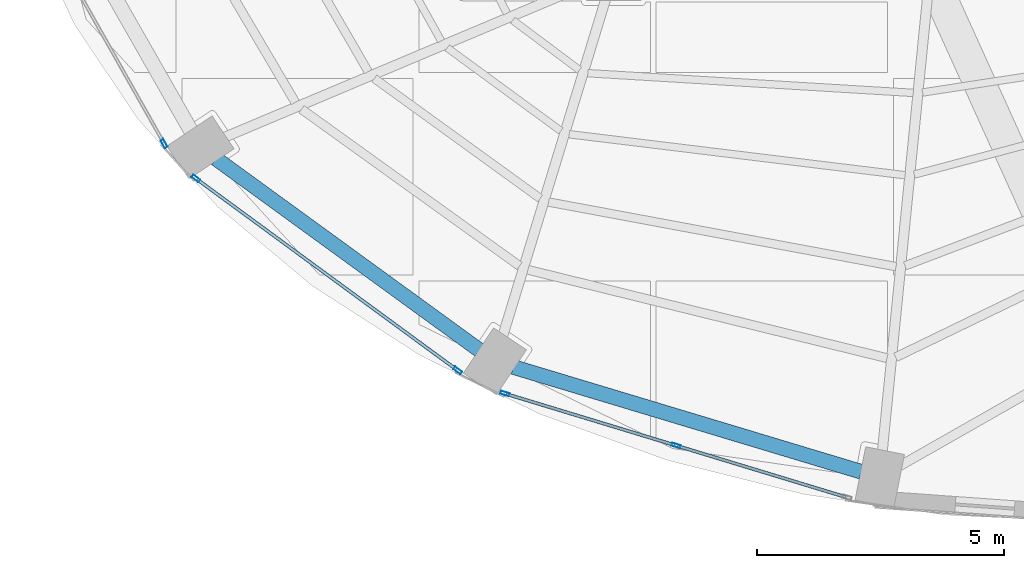
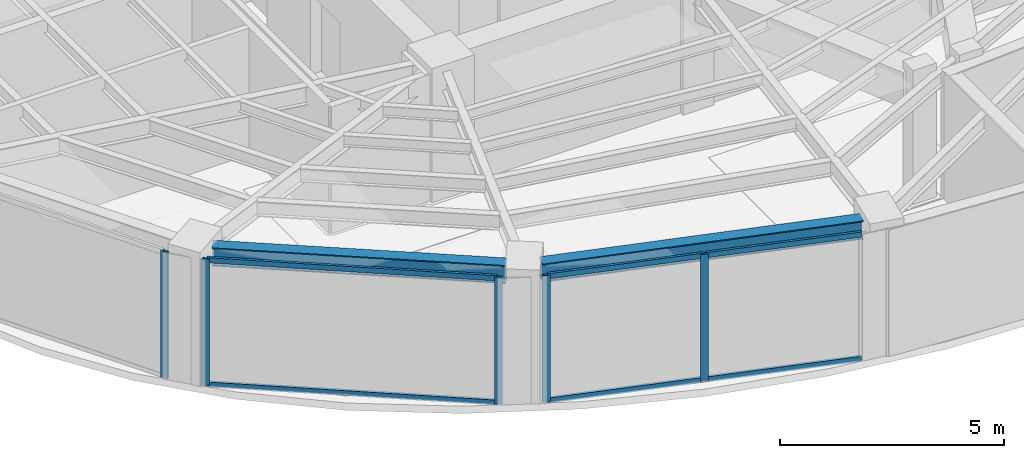
# One storey, part 2 of 23: 11 members, 2 beams, 3 elements without a shape of their own.
"""IFC4 building model written with IfcOpenShell, lengths in metres."""

from ifc_helpers import new_model, si_unit, direction, frame, origin, origin_2d, place, context, subcontext, project, spatial, hollow_rectangle, i_section, extrude, material, layer, layer_set, material_profile, profile_set, type_object, element, aggregate, save


model = new_model("IFC4")

# Units and contexts
model_context = context("Model", 3, precision=1e-05, world=origin(), true_north=direction((0.0, 1.0)))
body_context = subcontext(model_context, "Body", "Model", "MODEL_VIEW")
ifc_project = project(units=[si_unit("LENGTHUNIT", "METRE"), si_unit("AREAUNIT", "SQUARE_METRE"), si_unit("VOLUMEUNIT", "CUBIC_METRE"), si_unit("PLANEANGLEUNIT", "RADIAN"), si_unit("MASSUNIT", "GRAM", prefix="KILO")], contexts=[model_context])

# Site, building, storey
site_placement = place(None, origin())
site = spatial("IfcSite", under=ifc_project, at=site_placement, CompositionType="ELEMENT")
building_placement = place(site_placement, origin())
building = spatial("IfcBuilding", under=site, at=building_placement, Name="Lazwardi Medical Tower", CompositionType="ELEMENT")
storey_placement = place(building_placement, frame((0.0, 0.0, 213.072021484375)))
storey = spatial("IfcBuildingStorey", under=building, at=storey_placement, Name="L55", CompositionType="ELEMENT", Elevation=213.072021484375)

# Beams
ifc_material_1 = material(Name="Steel S355", Category="steel")
ifc_material_profile_1 = material_profile(ifc_material_1, i_section(OverallWidth=0.300048828125, OverallDepth=0.5, WebThickness=0.014404296875, FlangeThickness=0.028076171875, at=origin_2d()), Name="HEB 500")
ifc_profile_set_1 = profile_set([ifc_material_profile_1], Name="Steel S355")
beam_type = type_object("IfcBeamType", Name="BM-RB-Z4", PredefinedType="BEAM", material=ifc_profile_set_1)
beam_1_placement = place(storey_placement, frame((18.355712890625, 16.648193359375, 3.197998046875), z_axis=(0.808889916254, -0.587960120571, 0.0), x_axis=(0.587960120571, 0.808889916254, 0.0)))
element("IfcBeam", 1, at=beam_1_placement, inside=storey, type_object=beam_type, Name="Ring beam RB-05 B14 L55", PredefinedType="BEAM", context=body_context, shape_type="SweptSolid", body=[
    extrude(i_section(OverallWidth=0.300048828125, OverallDepth=0.5, WebThickness=0.014404296875, FlangeThickness=0.028076171875, at=origin_2d()), origin(), (0.0, 0.0, 1.0), 6.587158203125),
])
beam_2_placement = place(storey_placement, frame((24.373046875, 12.43359375, 3.197998046875), z_axis=(0.957544311906, -0.288286126506, 0.0), x_axis=(0.288286126506, 0.957544311906, 0.0)))
element("IfcBeam", 2, at=beam_2_placement, inside=storey, type_object=beam_type, Name="Ring beam RB-05 B15 L55", PredefinedType="BEAM", context=body_context, shape_type="SweptSolid", body=[
    extrude(i_section(OverallWidth=0.300048828125, OverallDepth=0.5, WebThickness=0.014404296875, FlangeThickness=0.028076171875, at=origin_2d()), origin(), (0.0, 0.0, 1.0), 7.3515625),
])

# Curtain wall, member
ifc_material_2 = material(Name="Anodised bronze aluminium and solar control glazing", Category="aluminium")
ifc_layer = layer(ifc_material_2, 0.18994140625)
ifc_layer_set = layer_set([ifc_layer], Name="Anodised bronze aluminium and solar control glazing")
curtain_wall_type = type_object("IfcCurtainWallType", Name="CW-SYS-04", PredefinedType="NOTDEFINED", material=ifc_layer_set)
curtain_wall_1_placement = place(storey_placement, origin())
curtain_wall_1 = element("IfcCurtainWall", 3, at=curtain_wall_1_placement, inside=storey, type_object=curtain_wall_type, Name="L55 Unitised bronze curtain wall CW-04", PredefinedType="NOTDEFINED")
ifc_material_3 = material(Name="Anodised bronze aluminium", Category="aluminium")
ifc_material_profile_2 = material_profile(ifc_material_3, hollow_rectangle(XDim=0.06494140625, YDim=0.179931640625, WallThickness=0.00390625, at=origin_2d()), Name="ALU-MULLION 180x65x4")
ifc_profile_set_2 = profile_set([ifc_material_profile_2], Name="Anodised bronze aluminium")
member_type_1 = type_object("IfcMemberType", Name="CW-MUL-03", PredefinedType="MULLION", material=ifc_profile_set_2)
member_1_placement = place(storey_placement, frame((17.3056640625, 16.95458984375, 0.0), z_axis=(0.0, 0.0, 1.0), x_axis=(0.870651436011, 0.491900474661, 0.0)))
member_1 = element("IfcMember", 4, at=member_1_placement, type_object=member_type_1, Name="CW-04 mullion 2", PredefinedType="MULLION", context=body_context, shape_type="SweptSolid", body=[
    extrude(hollow_rectangle(XDim=0.06494140625, YDim=0.179931640625, WallThickness=0.00390625, at=origin_2d()), origin(), (0.0, 0.0, 1.0), 3.447998046875),
])
aggregate(curtain_wall_1, [member_1])

# Curtain wall, members
curtain_wall_2_placement = place(storey_placement, origin())
curtain_wall_2 = element("IfcCurtainWall", 5, at=curtain_wall_2_placement, inside=storey, type_object=curtain_wall_type, Name="L55 Unitised bronze curtain wall CW-04", PredefinedType="NOTDEFINED")
member_2_placement = place(storey_placement, frame((17.947998046875, 16.248291015625, 0.0), z_axis=(0.0, 0.0, 1.0), x_axis=(0.591268230971, 0.806474971121, 0.0)))
member_2 = element("IfcMember", 6, at=member_2_placement, type_object=member_type_1, Name="CW-04 mullion 1", PredefinedType="MULLION", context=body_context, shape_type="SweptSolid", body=[
    extrude(hollow_rectangle(XDim=0.06494140625, YDim=0.179931640625, WallThickness=0.00390625, at=origin_2d()), origin(), (0.0, 0.0, 1.0), 3.447998046875),
])
member_3_placement = place(storey_placement, frame((23.24462890625, 12.365234375, 0.0), z_axis=(0.0, 0.0, 1.0), x_axis=(0.591268230971, 0.806474971121, 0.0)))
member_3 = element("IfcMember", 7, at=member_3_placement, type_object=member_type_1, Name="CW-04 mullion 2", PredefinedType="MULLION", context=body_context, shape_type="SweptSolid", body=[
    extrude(hollow_rectangle(XDim=0.06494140625, YDim=0.179931640625, WallThickness=0.00390625, at=origin_2d()), origin(), (0.0, 0.0, 1.0), 3.447998046875),
])

curtain_wall_3_placement = place(storey_placement, origin())
curtain_wall_3 = element("IfcCurtainWall", 8, at=curtain_wall_3_placement, inside=storey, type_object=curtain_wall_type, Name="L55 Unitised bronze curtain wall CW-04", PredefinedType="NOTDEFINED")
member_4_placement = place(storey_placement, frame((24.2001953125, 11.896484375, 0.0), z_axis=(0.0, 0.0, 1.0), x_axis=(0.290581889515, 0.956850126972, 0.0)))
member_4 = element("IfcMember", 9, at=member_4_placement, type_object=member_type_1, Name="CW-04 mullion 1", PredefinedType="MULLION", context=body_context, shape_type="SweptSolid", body=[
    extrude(hollow_rectangle(XDim=0.06494140625, YDim=0.179931640625, WallThickness=0.00390625, at=origin_2d()), origin(), (0.0, 0.0, 1.0), 3.447998046875),
])
member_5_placement = place(storey_placement, frame((27.66357421875, 10.8447265625, 0.0), z_axis=(0.0, 0.0, 1.0), x_axis=(0.290581889515, 0.956850126972, 0.0)))
member_5 = element("IfcMember", 10, at=member_5_placement, type_object=member_type_1, Name="CW-04 mullion 2", PredefinedType="MULLION", context=body_context, shape_type="SweptSolid", body=[
    extrude(hollow_rectangle(XDim=0.06494140625, YDim=0.179931640625, WallThickness=0.00390625, at=origin_2d()), origin(), (0.0, 0.0, 1.0), 3.447998046875),
])

# Member
ifc_material_profile_3 = material_profile(ifc_material_3, hollow_rectangle(XDim=0.06494140625, YDim=0.139892578125, WallThickness=0.00341796875, at=origin_2d()), Name="ALU-TRANSOM 140x65x3.5")
ifc_profile_set_3 = profile_set([ifc_material_profile_3], Name="Anodised bronze aluminium")
member_type_2 = type_object("IfcMemberType", Name="CW-TRN-03", PredefinedType="USERDEFINED", material=ifc_profile_set_3)
member_6_placement = place(storey_placement, frame((17.97412109375, 16.229248046875, 0.032470703125), z_axis=(0.806471831148, -0.591272513791, 0.0), x_axis=(0.591272513791, 0.806471831148, 0.0)))
member_6 = element("IfcMember", 11, at=member_6_placement, type_object=member_type_2, Name="CW-04 transom 1.1", ObjectType="TRANSOM", PredefinedType="USERDEFINED", context=body_context, shape_type="SweptSolid", body=[
    extrude(hollow_rectangle(XDim=0.06494140625, YDim=0.139892578125, WallThickness=0.00341796875, at=origin_2d()), origin(), (0.0, 0.0, 1.0), 6.5029296875),
])

member_7_placement = place(storey_placement, frame((17.97412109375, 16.229248046875, 3.41552734375), z_axis=(0.806471831148, -0.591272513791, 0.0), x_axis=(0.591272513791, 0.806471831148, 0.0)))
member_7 = element("IfcMember", 12, at=member_7_placement, type_object=member_type_2, Name="CW-04 transom 1.2", ObjectType="TRANSOM", PredefinedType="USERDEFINED", context=body_context, shape_type="SweptSolid", body=[
    extrude(hollow_rectangle(XDim=0.06494140625, YDim=0.139892578125, WallThickness=0.00341796875, at=origin_2d()), origin(), (0.0, 0.0, 1.0), 6.5029296875),
])

aggregate(curtain_wall_2, [member_2, member_3, member_6, member_7])

member_8_placement = place(storey_placement, frame((24.2314453125, 11.886962890625, 0.032470703125), z_axis=(0.956862505902, -0.290541124109, 0.0), x_axis=(0.290541124109, 0.956862505902, 0.0)))
member_8 = element("IfcMember", 13, at=member_8_placement, type_object=member_type_2, Name="CW-04 transom 1.1", ObjectType="TRANSOM", PredefinedType="USERDEFINED", context=body_context, shape_type="SweptSolid", body=[
    extrude(hollow_rectangle(XDim=0.06494140625, YDim=0.139892578125, WallThickness=0.00341796875, at=origin_2d()), origin(), (0.0, 0.0, 1.0), 3.554443359375),
])

member_9_placement = place(storey_placement, frame((24.2314453125, 11.886962890625, 3.41552734375), z_axis=(0.956862505902, -0.290541124109, 0.0), x_axis=(0.290541124109, 0.956862505902, 0.0)))
member_9 = element("IfcMember", 14, at=member_9_placement, type_object=member_type_2, Name="CW-04 transom 1.2", ObjectType="TRANSOM", PredefinedType="USERDEFINED", context=body_context, shape_type="SweptSolid", body=[
    extrude(hollow_rectangle(XDim=0.06494140625, YDim=0.139892578125, WallThickness=0.00341796875, at=origin_2d()), origin(), (0.0, 0.0, 1.0), 3.554443359375),
])

member_10_placement = place(storey_placement, frame((27.694580078125, 10.835205078125, 0.032470703125), z_axis=(0.956862505902, -0.290541124109, 0.0), x_axis=(0.290541124109, 0.956862505902, 0.0)))
member_10 = element("IfcMember", 15, at=member_10_placement, type_object=member_type_2, Name="CW-04 transom 2.1", ObjectType="TRANSOM", PredefinedType="USERDEFINED", context=body_context, shape_type="SweptSolid", body=[
    extrude(hollow_rectangle(XDim=0.06494140625, YDim=0.139892578125, WallThickness=0.00341796875, at=origin_2d()), origin(), (0.0, 0.0, 1.0), 3.554443359375),
])

member_11_placement = place(storey_placement, frame((27.694580078125, 10.835205078125, 3.41552734375), z_axis=(0.956862505902, -0.290541124109, 0.0), x_axis=(0.290541124109, 0.956862505902, 0.0)))
member_11 = element("IfcMember", 16, at=member_11_placement, type_object=member_type_2, Name="CW-04 transom 2.2", ObjectType="TRANSOM", PredefinedType="USERDEFINED", context=body_context, shape_type="SweptSolid", body=[
    extrude(hollow_rectangle(XDim=0.06494140625, YDim=0.139892578125, WallThickness=0.00341796875, at=origin_2d()), origin(), (0.0, 0.0, 1.0), 3.554443359375),
])

aggregate(curtain_wall_3, [member_4, member_5, member_8, member_9, member_10, member_11])

save(model, "model.ifc")
